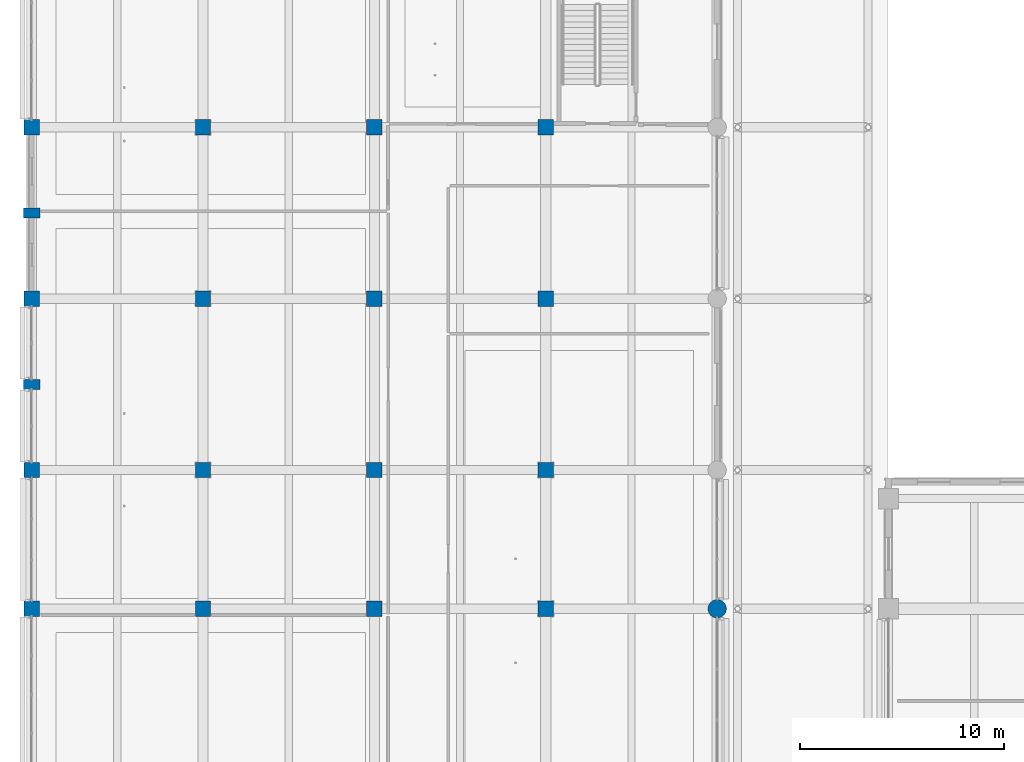
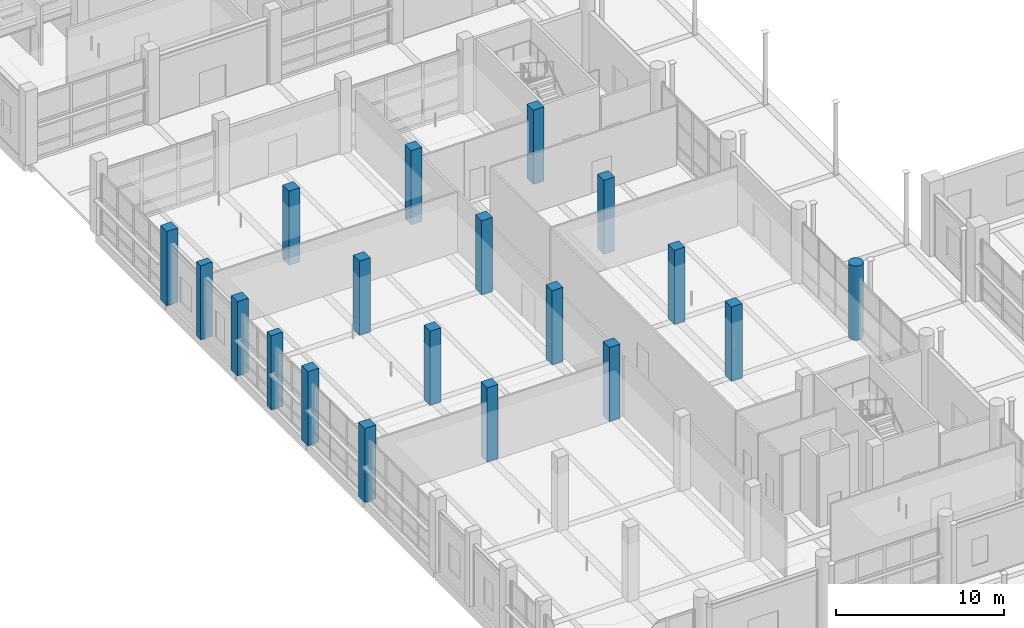
# One storey, part 4 of 140: 19 columns.
"""IFC4 building model written with IfcOpenShell, lengths in metres."""

from ifc_helpers import new_model, si_unit, direction, frame, origin, origin_2d, place, context, subcontext, project, spatial, rectangle, circle, extrude, material, material_profile, profile_set, type_object, element, save


model = new_model("IFC4")

# Units and contexts
model_context = context("Model", 3, precision=1e-05, world=origin(), true_north=direction((0.0, 1.0)))
body_context = subcontext(model_context, "Body", "Model", "MODEL_VIEW")
ifc_project = project(units=[si_unit("LENGTHUNIT", "METRE"), si_unit("AREAUNIT", "SQUARE_METRE"), si_unit("VOLUMEUNIT", "CUBIC_METRE"), si_unit("PLANEANGLEUNIT", "RADIAN"), si_unit("MASSUNIT", "GRAM", prefix="KILO")], contexts=[model_context])

# Site, building, storey
site_placement = place(None, origin())
site = spatial("IfcSite", under=ifc_project, at=site_placement, CompositionType="ELEMENT")
building_placement = place(site_placement, origin())
building = spatial("IfcBuilding", under=site, at=building_placement, Name="Telukmera Botanical Conservatory", CompositionType="ELEMENT")
storey_placement = place(building_placement, origin())
storey = spatial("IfcBuildingStorey", under=building, at=storey_placement, Name="L00", CompositionType="ELEMENT", Elevation=0.0)

# Columns
ifc_material_1 = material(Name="Concrete C40/50", Category="concrete")
ifc_material_profile_1 = material_profile(ifc_material_1, circle(Radius=0.449951171875, at=origin_2d()), Name="RC D900")
ifc_profile_set_1 = profile_set([ifc_material_profile_1], Name="Concrete C40/50")
column_type_1 = type_object("IfcColumnType", Name="Col_C16", PredefinedType="COLUMN", material=ifc_profile_set_1)
column_placement = place(storey_placement, frame((42.0, 42.800048828125, 0.0), z_axis=(0.0, 0.0, 1.0), x_axis=(1.0, 0.0, 0.0)))
element("IfcColumn", 1, at=column_placement, inside=storey, type_object=column_type_1, Name="Column V3-L00 (42.0,42.8)", PredefinedType="COLUMN", context=body_context, shape_type="SweptSolid", body=[
    extrude(circle(Radius=0.449951171875, at=origin_2d()), origin(), (0.0, 0.0, 1.0), 5.39990234375),
])
ifc_material_profile_2 = material_profile(ifc_material_1, rectangle(XDim=0.75, YDim=0.75, at=origin_2d()), Name="RC 750x750")
ifc_profile_set_2 = profile_set([ifc_material_profile_2], Name="Concrete C40/50")
column_type_2 = type_object("IfcColumnType", Name="Col_C8", PredefinedType="COLUMN", material=ifc_profile_set_2)
for number, where, z_axis, x_axis, name in (
    (2, (8.39990234375, 42.800048828125, 0.0), (0.0, 0.0, 1.0), (1.0, 0.0, 0.0), "Column V3-L00 (8.4,42.8)"),
    (3, (8.39990234375, 49.60009765625, 0.0), (0.0, 0.0, 1.0), (1.0, 0.0, 0.0), "Column V3-L00 (8.4,49.6)"),
    (4, (8.39990234375, 58.0, 0.0), (0.0, 0.0, 1.0), (1.0, 0.0, 0.0), "Column V3-L00 (8.4,58.0)"),
    (5, (8.39990234375, 66.39990234375, 0.0), (0.0, 0.0, 1.0), (1.0, 0.0, 0.0), "Column V3-L00 (8.4,66.4)"),
    (6, (16.800048828125, 42.800048828125, 0.0), (0.0, 0.0, 1.0), (1.0, 0.0, 0.0), "Column V3-L00 (16.8,42.8)"),
    (7, (16.800048828125, 49.60009765625, 0.0), (0.0, 0.0, 1.0), (1.0, 0.0, 0.0), "Column V3-L00 (16.8,49.6)"),
    (8, (16.800048828125, 58.0, 0.0), (0.0, 0.0, 1.0), (1.0, 0.0, 0.0), "Column V3-L00 (16.8,58.0)"),
    (9, (16.800048828125, 66.39990234375, 0.0), (0.0, 0.0, 1.0), (1.0, 0.0, 0.0), "Column V3-L00 (16.8,66.4)"),
    (10, (25.199951171875, 42.800048828125, 0.0), (0.0, 0.0, 1.0), (1.0, 0.0, 0.0), "Column V3-L00 (25.2,42.8)"),
    (11, (25.199951171875, 49.60009765625, 0.0), (0.0, 0.0, 1.0), (1.0, 0.0, 0.0), "Column V3-L00 (25.2,49.6)"),
    (12, (25.199951171875, 58.0, 0.0), (0.0, 0.0, 1.0), (1.0, 0.0, 0.0), "Column V3-L00 (25.2,58.0)"),
    (13, (25.199951171875, 66.39990234375, 0.0), (0.0, 0.0, 1.0), (1.0, 0.0, 0.0), "Column V3-L00 (25.2,66.4)"),
    (14, (33.60009765625, 42.800048828125, 0.0), (0.0, 0.0, 1.0), (1.0, 0.0, 0.0), "Column V3-L00 (33.6,42.8)"),
    (15, (33.60009765625, 49.60009765625, 0.0), (0.0, 0.0, 1.0), (1.0, 0.0, 0.0), "Column V3-L00 (33.6,49.6)"),
    (16, (33.60009765625, 58.0, 0.0), (0.0, 0.0, 1.0), (1.0, 0.0, 0.0), "Column V3-L00 (33.6,58.0)"),
    (17, (33.60009765625, 66.39990234375, 0.0), (0.0, 0.0, 1.0), (1.0, 0.0, 0.0), "Column V3-L00 (33.6,66.4)"),
):
    element("IfcColumn", number, at=place(storey_placement, frame(where, z_axis=z_axis, x_axis=x_axis)), inside=storey, type_object=column_type_2, Name=name, PredefinedType="COLUMN", context=body_context, shape_type="SweptSolid", body=[
        extrude(rectangle(XDim=0.75, YDim=0.75, at=origin_2d()), origin(), (0.0, 0.0, 1.0), 5.39990234375),
    ])
ifc_material_2 = material(Name="Precast concrete C40/50", Category="concrete")
ifc_material_profile_3 = material_profile(ifc_material_2, rectangle(XDim=0.800048828125, YDim=0.5, at=origin_2d()), Name="PC 800x500")
ifc_profile_set_3 = profile_set([ifc_material_profile_3], Name="Precast concrete C40/50")
column_type_3 = type_object("IfcColumnType", Name="Col_PLP1", PredefinedType="PILASTER", material=ifc_profile_set_3)
for number, where, z_axis, x_axis, name in (
    (18, (8.39990234375, 53.800048828125, 0.0), (0.0, 0.0, 1.0), (1.0, 0.0, 0.0), "Column V3-L00 (8.4,53.8)"),
    (19, (8.39990234375, 62.199951171875, 0.0), (0.0, 0.0, 1.0), (1.0, 0.0, 0.0), "Column V3-L00 (8.4,62.2)"),
):
    element("IfcColumn", number, at=place(storey_placement, frame(where, z_axis=z_axis, x_axis=x_axis)), inside=storey, type_object=column_type_3, Name=name, PredefinedType="PILASTER", context=body_context, shape_type="SweptSolid", body=[
        extrude(rectangle(XDim=0.800048828125, YDim=0.5, at=origin_2d()), origin(), (0.0, 0.0, 1.0), 5.39990234375),
    ])

save(model, "model.ifc")
